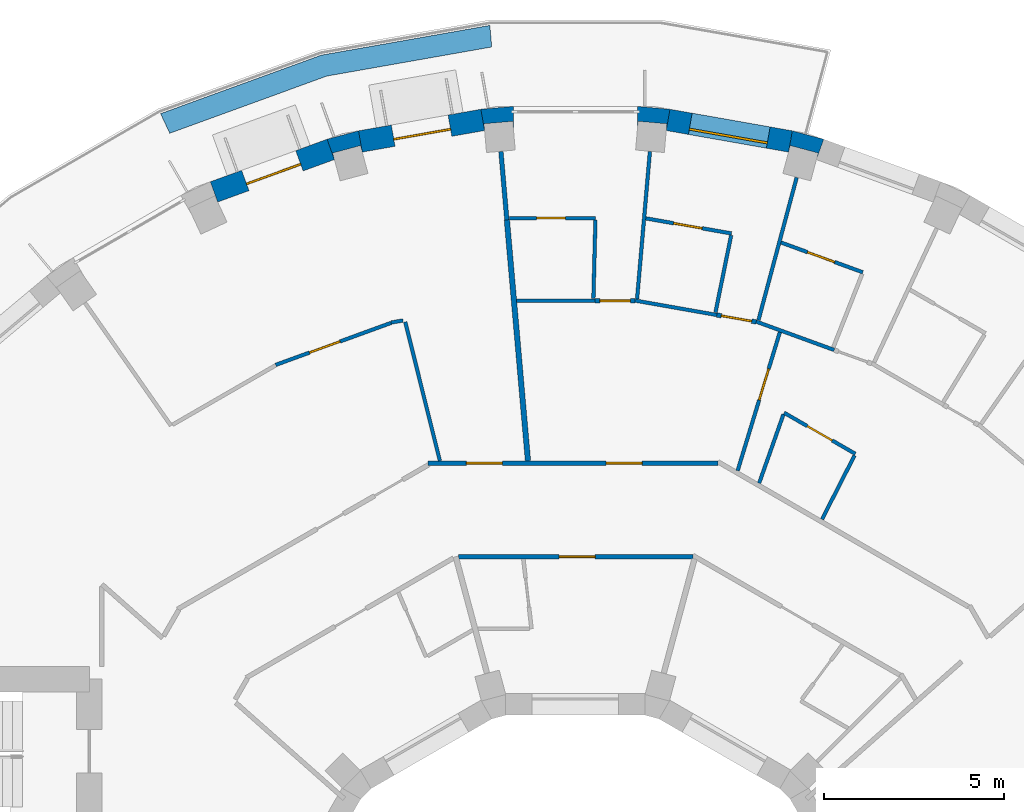
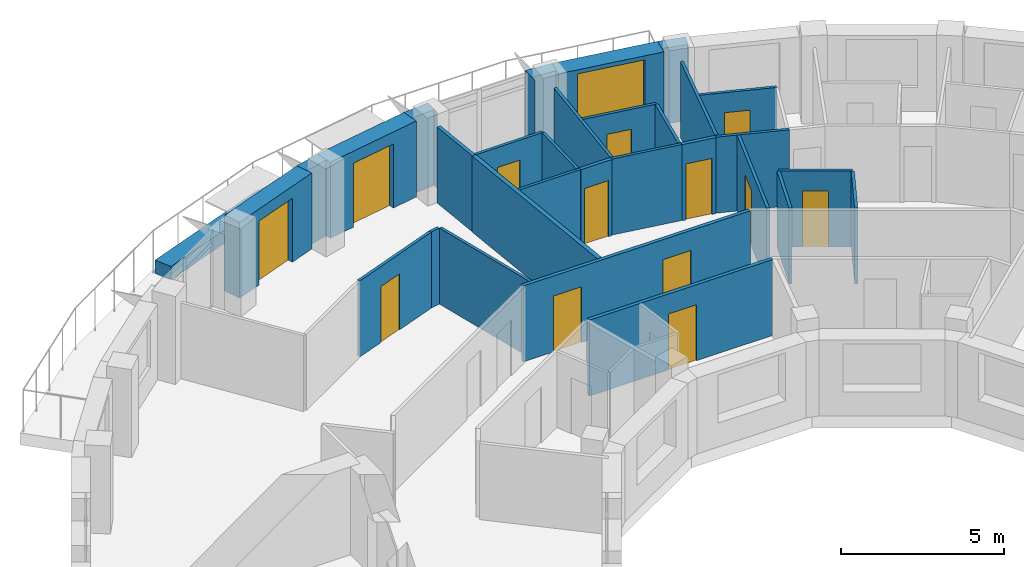
# One storey, part 11 of 14: 31 walls, 13 doors, 1 window, 14 openings.
"""IFC4 building model written with IfcOpenShell, lengths in metres."""

from ifc_helpers import new_model, si_unit, direction, frame, frame_2d, origin, place, context, subcontext, project, spatial, polyline, rectangle, outline, extrude, material, layer, layer_set, type_object, element, fill, save


model = new_model("IFC4")

# Units and contexts
model_context = context("Model", 3, precision=1e-05, world=origin(), true_north=direction((0.0, 1.0)))
body_context = subcontext(model_context, "Body", "Model", "MODEL_VIEW")
ifc_project = project(units=[si_unit("LENGTHUNIT", "METRE"), si_unit("AREAUNIT", "SQUARE_METRE"), si_unit("VOLUMEUNIT", "CUBIC_METRE"), si_unit("PLANEANGLEUNIT", "RADIAN"), si_unit("MASSUNIT", "GRAM", prefix="KILO")], contexts=[model_context])

# Site, building, storey
site_placement = place(None, origin())
site = spatial("IfcSite", under=ifc_project, at=site_placement, CompositionType="ELEMENT")
building_placement = place(site_placement, origin())
building = spatial("IfcBuilding", under=site, at=building_placement, Name="Saqina Gate Tower", CompositionType="ELEMENT")
storey_placement = place(building_placement, frame((0.0, 0.0, 210.300048828125)))
storey = spatial("IfcBuildingStorey", under=building, at=storey_placement, Name="L60", CompositionType="ELEMENT", Elevation=210.300048828125)

# Walls
ifc_material_1 = material(Name="Brick masonry (buff)", Category="masonry")
wall_type_1 = type_object("IfcWallType", Name="BRICK PIER COPING BUFF", PredefinedType="SOLIDWALL", material=ifc_material_1)
wall_1_placement = place(storey_placement, origin())
element("IfcWall", 1, at=wall_1_placement, inside=storey, type_object=wall_type_1, Name="Pier cap L60 column 8", PredefinedType="SOLIDWALL", context=body_context, shape_type="SweptSolid", body=[
    extrude(outline(polyline([(6.0234375, 24.22705078125), (5.919189453125, 23.635986328125), (5.967529296875, 23.81689453125), (6.740478515625, 23.610107421875), (6.69189453125, 23.428955078125), (6.897216796875, 23.992919921875), (6.0234375, 24.22705078125)])), origin(), (0.0, 0.0, 1.0), 2.849853515625),
])
wall_2_placement = place(storey_placement, origin())
element("IfcWall", 2, at=wall_2_placement, inside=storey, type_object=wall_type_1, Name="Pier cap L60 column 9", PredefinedType="SOLIDWALL", context=body_context, shape_type="SweptSolid", body=[
    extrude(outline(polyline([(2.6259765625, 24.825927734375), (1.724853515625, 24.90478515625), (1.724853515625, 24.304931640625), (1.7412109375, 24.491455078125), (2.5380859375, 24.421630859375), (2.521728515625, 24.235107421875), (2.6259765625, 24.825927734375)])), origin(), (0.0, 0.0, 1.0), 2.849853515625),
])
wall_3_placement = place(storey_placement, origin())
element("IfcWall", 3, at=wall_3_placement, inside=storey, type_object=wall_type_1, Name="Pier cap L60 column 10", PredefinedType="SOLIDWALL", context=body_context, shape_type="SweptSolid", body=[
    extrude(outline(polyline([(-1.724853515625, 24.90478515625), (-2.6259765625, 24.825927734375), (-2.521728515625, 24.235107421875), (-2.5380859375, 24.421630859375), (-1.7412109375, 24.491455078125), (-1.724853515625, 24.304931640625), (-1.724853515625, 24.90478515625)])), origin(), (0.0, 0.0, 1.0), 2.849853515625),
])
wall_4_placement = place(storey_placement, origin())
element("IfcWall", 4, at=wall_4_placement, inside=storey, type_object=wall_type_1, Name="Pier cap L60 column 11", PredefinedType="SOLIDWALL", context=body_context, shape_type="SweptSolid", body=[
    extrude(outline(polyline([(-6.0234375, 24.22705078125), (-6.897216796875, 23.992919921875), (-6.69189453125, 23.428955078125), (-6.740478515625, 23.610107421875), (-5.967529296875, 23.81689453125), (-5.919189453125, 23.635986328125), (-6.0234375, 24.22705078125)])), origin(), (0.0, 0.0, 1.0), 2.849853515625),
])

# Wall, opening, window
ifc_material_2 = material(Name="Brick masonry (buff)", Category="masonry")
ifc_layer_1 = layer(ifc_material_2, 0.60009765625)
ifc_layer_set_1 = layer_set([ifc_layer_1], Name="FW-BRICK-BUFF")
wall_type_2 = type_object("IfcWallType", Name="FW-BRICK-BUFF", PredefinedType="SOLIDWALL", material=ifc_layer_set_1)
wall_5_placement = place(storey_placement, frame((5.97119140625, 23.931640625, 0.0), z_axis=(0.0, 0.0, 1.0), x_axis=(-0.984814892183, 0.173607684551, 0.0)))
wall_5 = element("IfcWall", 5, at=wall_5_placement, inside=storey, type_object=wall_type_2, Name="Facade wall L60 facet 8", PredefinedType="SOLIDWALL", context=body_context, shape_type="SweptSolid", body=[
    extrude(rectangle(XDim=3.44970703125, YDim=0.60009765625, at=frame_2d((1.724853515625, 0.0))), origin(), (0.0, 0.0, 1.0), 2.849853515625),
])
opening_1_placement = place(wall_5_placement, frame((0.625, 0.0, 0.89990234375)))
opening_1 = element("IfcOpeningElement", 6, at=opening_1_placement, cuts=wall_5, Name="Opening G18-W06", PredefinedType="OPENING", context=body_context, shape_type="SweptSolid", body=[
    extrude(rectangle(XDim=2.199951171875, YDim=1.800048828125, at=frame_2d((1.10009765625, 0.89990234375))), frame((0.0, 0.31201171875, 0.0), z_axis=(0.0, -1.0, 0.0), x_axis=(1.0, 0.0, 0.0)), (0.0, 0.0, 1.0), 0.6240234375),
])
ifc_material_3 = material(Name="Aluminium glazing", Category="aluminium")
window_type = type_object("IfcWindowType", Name="WN-C", PartitioningType="SINGLE_PANEL", PredefinedType="WINDOW", material=ifc_material_3)
window_placement = place(opening_1_placement, origin())
window = element("IfcWindow", 7, at=window_placement, inside=storey, type_object=window_type, Name="Window L60 facet 8", OverallHeight=1.800048828125, OverallWidth=2.199951171875, PartitioningType="SINGLE_PANEL", PredefinedType="WINDOW", context=body_context, shape_type="SweptSolid", body=[
    extrude(rectangle(XDim=2.199951171875, YDim=1.800048828125, at=frame_2d((1.10009765625, 0.89990234375))), frame((0.0, 0.179931640625, 0.0), z_axis=(0.0, -1.0, 0.0), x_axis=(1.0, 0.0, 0.0)), (0.0, 0.0, 1.0), 0.06005859375),
])
fill(opening_1, window)

# Wall, opening, door
wall_6_placement = place(storey_placement, frame((-2.573974609375, 24.530517578125, 0.0), z_axis=(0.0, 0.0, 1.0), x_axis=(-0.984814892183, -0.173607684551, 0.0)))
wall_6 = element("IfcWall", 8, at=wall_6_placement, inside=storey, type_object=wall_type_2, Name="Facade wall L60 facet 10", PredefinedType="SOLIDWALL", context=body_context, shape_type="SweptSolid", body=[
    extrude(rectangle(XDim=3.44970703125, YDim=0.60009765625, at=frame_2d((1.724853515625, 0.0))), origin(), (0.0, 0.0, 1.0), 2.849853515625),
])
opening_2_placement = place(wall_6_placement, frame((0.9248046875, 0.0, 0.0)))
opening_2 = element("IfcOpeningElement", 9, at=opening_2_placement, cuts=wall_6, Name="Opening G18-D80", PredefinedType="OPENING", context=body_context, shape_type="SweptSolid", body=[
    extrude(rectangle(XDim=1.60009765625, YDim=2.39990234375, at=frame_2d((0.800048828125, 1.199951171875))), frame((0.0, 0.31201171875, 0.0), z_axis=(0.0, -1.0, 0.0), x_axis=(1.0, 0.0, 0.0)), (0.0, 0.0, 1.0), 0.6240234375),
])
ifc_material_4 = material(Name="Aluminium glazing", Category="aluminium")
door_type_1 = type_object("IfcDoorType", Name="GD-C", OperationType="DOUBLE_DOOR_SINGLE_SWING", PredefinedType="DOOR", material=ifc_material_4)
door_1_placement = place(opening_2_placement, origin())
door_1 = element("IfcDoor", 10, at=door_1_placement, inside=storey, type_object=door_type_1, Name="Terrace door L60 facet 10", OperationType="DOUBLE_DOOR_SINGLE_SWING", OverallHeight=2.39990234375, OverallWidth=1.60009765625, PredefinedType="DOOR", context=body_context, shape_type="SweptSolid", body=[
    extrude(rectangle(XDim=1.60009765625, YDim=2.39990234375, at=frame_2d((0.800048828125, 1.199951171875))), frame((0.0, 0.125, 0.0), z_axis=(0.0, -1.0, 0.0), x_axis=(1.0, 0.0, 0.0)), (0.0, 0.0, 1.0), 0.050048828125),
])
fill(opening_2, door_1)

wall_7_placement = place(storey_placement, frame((-6.79443359375, 23.7109375, 0.0), z_axis=(0.0, 0.0, 1.0), x_axis=(-0.93968799822, -0.342032843455, 0.0)))
wall_7 = element("IfcWall", 11, at=wall_7_placement, inside=storey, type_object=wall_type_2, Name="Facade wall L60 facet 11", PredefinedType="SOLIDWALL", context=body_context, shape_type="SweptSolid", body=[
    extrude(rectangle(XDim=3.44970703125, YDim=0.60009765625, at=frame_2d((1.724853515625, 0.0))), origin(), (0.0, 0.0, 1.0), 2.849853515625),
])
opening_3_placement = place(wall_7_placement, frame((0.9248046875, 0.0, 0.0)))
opening_3 = element("IfcOpeningElement", 12, at=opening_3_placement, cuts=wall_7, Name="Opening G18-D81", PredefinedType="OPENING", context=body_context, shape_type="SweptSolid", body=[
    extrude(rectangle(XDim=1.60009765625, YDim=2.39990234375, at=frame_2d((0.800048828125, 1.199951171875))), frame((0.0, 0.31201171875, 0.0), z_axis=(0.0, -1.0, 0.0), x_axis=(1.0, 0.0, 0.0)), (0.0, 0.0, 1.0), 0.6240234375),
])
door_2_placement = place(opening_3_placement, origin())
door_2 = element("IfcDoor", 13, at=door_2_placement, inside=storey, type_object=door_type_1, Name="Terrace door L60 facet 11", OperationType="DOUBLE_DOOR_SINGLE_SWING", OverallHeight=2.39990234375, OverallWidth=1.60009765625, PredefinedType="DOOR", context=body_context, shape_type="SweptSolid", body=[
    extrude(rectangle(XDim=1.60009765625, YDim=2.39990234375, at=frame_2d((0.800048828125, 1.199951171875))), frame((0.0, 0.125, 0.0), z_axis=(0.0, -1.0, 0.0), x_axis=(1.0, 0.0, 0.0)), (0.0, 0.0, 1.0), 0.050048828125),
])
fill(opening_3, door_2)

# Wall
ifc_material_5 = material(Name="Gypsum board on steel studs, 100 mm", Category="steel")
ifc_layer_2 = layer(ifc_material_5, 0.10009765625)
ifc_layer_set_2 = layer_set([ifc_layer_2], Name="PARTITION 100")
wall_type_3 = type_object("IfcWallType", Name="PARTITION 100", PredefinedType="PARTITIONING", material=ifc_layer_set_2)
wall_8_placement = place(storey_placement, frame((-4.726806640625, 18.92041015625, 0.0), z_axis=(0.0, 0.0, 1.0), x_axis=(0.242333473665, -0.970193015611, 0.0)))
element("IfcWall", 14, at=wall_8_placement, inside=storey, type_object=wall_type_3, Name="PARTITION PW3-04", PredefinedType="PARTITIONING", context=body_context, shape_type="SweptSolid", body=[
    extrude(rectangle(XDim=3.978515625, YDim=0.10009765625, at=frame_2d((1.9892578125, 0.0))), origin(), (0.0, 0.0, 1.0), 2.849853515625),
])

# Wall, opening, door
wall_9_placement = place(storey_placement, frame((5.795654296875, 16.39892578125, 0.0), z_axis=(0.0, 0.0, 1.0), x_axis=(0.866084140742, -0.499898250802, 0.0)))
wall_9 = element("IfcWall", 15, at=wall_9_placement, inside=storey, type_object=wall_type_3, Name="PARTITION PW3-30", PredefinedType="PARTITIONING", context=body_context, shape_type="SweptSolid", body=[
    extrude(rectangle(XDim=2.2841796875, YDim=0.10009765625, at=frame_2d((1.14208984375, 0.0))), origin(), (0.0, 0.0, 1.0), 2.849853515625),
])
opening_4_placement = place(wall_9_placement, frame((0.7412109375, 0.0, 0.0)))
opening_4 = element("IfcOpeningElement", 16, at=opening_4_placement, cuts=wall_9, Name="Opening G18-D09", PredefinedType="OPENING", context=body_context, shape_type="SweptSolid", body=[
    extrude(rectangle(XDim=0.800048828125, YDim=2.10009765625, at=frame_2d((0.39990234375, 1.050048828125))), frame((0.0, 0.06201171875, 0.0), z_axis=(0.0, -1.0, 0.0), x_axis=(1.0, 0.0, 0.0)), (0.0, 0.0, 1.0), 0.1240234375),
])
ifc_material_6 = material(Name="Timber door leaf, 800 mm", Category="wood")
door_type_2 = type_object("IfcDoorType", Name="DOOR 800 TIMBER", OperationType="SINGLE_SWING_LEFT", PredefinedType="DOOR", material=ifc_material_6)
door_3_placement = place(opening_4_placement, origin())
door_3 = element("IfcDoor", 17, at=door_3_placement, inside=storey, type_object=door_type_2, Name="DOOR G18-D09", OperationType="SINGLE_SWING_LEFT", OverallHeight=2.10009765625, OverallWidth=0.800048828125, PredefinedType="DOOR", context=body_context, shape_type="SweptSolid", body=[
    extrude(rectangle(XDim=0.800048828125, YDim=2.10009765625, at=frame_2d((0.39990234375, 1.050048828125))), frame((0.0, 0.02490234375, 0.0), z_axis=(0.0, -1.0, 0.0), x_axis=(1.0, 0.0, 0.0)), (0.0, 0.0, 1.0), 0.050048828125),
])
fill(opening_4, door_3)

# Wall
wall_10_placement = place(storey_placement, frame((5.020263671875, 18.929443359375, 0.0), z_axis=(0.0, 0.0, 1.0), x_axis=(0.939651079277, -0.342134256123, 0.0)))
element("IfcWall", 18, at=wall_10_placement, inside=storey, type_object=wall_type_3, Name="PARTITION PW3-36", PredefinedType="PARTITIONING", context=body_context, shape_type="SweptSolid", body=[
    extrude(rectangle(XDim=2.304931640625, YDim=0.10009765625, at=frame_2d((1.15234375, 0.0))), origin(), (0.0, 0.0, 1.0), 2.849853515625),
])

# Wall, opening, door
wall_11_placement = place(storey_placement, frame((5.71240234375, 21.124755859375, 0.0), z_axis=(0.0, 0.0, 1.0), x_axis=(0.939692991858, -0.342019123812, 0.0)))
wall_11 = element("IfcWall", 19, at=wall_11_placement, inside=storey, type_object=wall_type_3, Name="PARTITION PW3-37", PredefinedType="PARTITIONING", context=body_context, shape_type="SweptSolid", body=[
    extrude(rectangle(XDim=2.4140625, YDim=0.10009765625, at=frame_2d((1.20703125, 0.0))), origin(), (0.0, 0.0, 1.0), 2.849853515625),
])
opening_5_placement = place(wall_11_placement, frame((0.78173828125, 0.0, 0.0)))
opening_5 = element("IfcOpeningElement", 20, at=opening_5_placement, cuts=wall_11, Name="Opening G18-D11", PredefinedType="OPENING", context=body_context, shape_type="SweptSolid", body=[
    extrude(rectangle(XDim=0.800048828125, YDim=2.10009765625, at=frame_2d((0.39990234375, 1.050048828125))), frame((0.0, 0.06201171875, 0.0), z_axis=(0.0, -1.0, 0.0), x_axis=(1.0, 0.0, 0.0)), (0.0, 0.0, 1.0), 0.1240234375),
])
door_4_placement = place(opening_5_placement, origin())
door_4 = element("IfcDoor", 21, at=door_4_placement, inside=storey, type_object=door_type_2, Name="DOOR G18-D11", OperationType="SINGLE_SWING_LEFT", OverallHeight=2.10009765625, OverallWidth=0.800048828125, PredefinedType="DOOR", context=body_context, shape_type="SweptSolid", body=[
    extrude(rectangle(XDim=0.800048828125, YDim=2.10009765625, at=frame_2d((0.39990234375, 1.050048828125))), frame((0.0, 0.02490234375, 0.0), z_axis=(0.0, -1.0, 0.0), x_axis=(1.0, 0.0, 0.0)), (0.0, 0.0, 1.0), 0.050048828125),
])
fill(opening_5, door_4)

# Wall
wall_12_placement = place(storey_placement, frame((1.656005859375, 19.513916015625, 0.0), z_axis=(0.0, 0.0, 1.0), x_axis=(0.984783558818, -0.173785333909, 0.0)))
element("IfcWall", 22, at=wall_12_placement, inside=storey, type_object=wall_type_3, Name="PARTITION PW3-40", PredefinedType="PARTITIONING", context=body_context, shape_type="SweptSolid", body=[
    extrude(rectangle(XDim=2.305419921875, YDim=0.10009765625, at=frame_2d((1.15283203125, 0.0))), origin(), (0.0, 0.0, 1.0), 2.849853515625),
])

# Wall, opening, door
wall_13_placement = place(storey_placement, frame((1.957275390625, 21.79638671875, 0.0), z_axis=(0.0, 0.0, 1.0), x_axis=(0.984794754479, -0.173721879884, 0.0)))
wall_13 = element("IfcWall", 23, at=wall_13_placement, inside=storey, type_object=wall_type_3, Name="PARTITION PW3-41", PredefinedType="PARTITIONING", context=body_context, shape_type="SweptSolid", body=[
    extrude(rectangle(XDim=2.414306640625, YDim=0.10009765625, at=frame_2d((1.20703125, 0.0))), origin(), (0.0, 0.0, 1.0), 2.849853515625),
])
opening_6_placement = place(wall_13_placement, frame((0.7822265625, 0.0, 0.0)))
opening_6 = element("IfcOpeningElement", 24, at=opening_6_placement, cuts=wall_13, Name="Opening G18-D14", PredefinedType="OPENING", context=body_context, shape_type="SweptSolid", body=[
    extrude(rectangle(XDim=0.800048828125, YDim=2.10009765625, at=frame_2d((0.39990234375, 1.050048828125))), frame((0.0, 0.06201171875, 0.0), z_axis=(0.0, -1.0, 0.0), x_axis=(1.0, 0.0, 0.0)), (0.0, 0.0, 1.0), 0.1240234375),
])
door_5_placement = place(opening_6_placement, origin())
door_5 = element("IfcDoor", 25, at=door_5_placement, inside=storey, type_object=door_type_2, Name="DOOR G18-D14", OperationType="SINGLE_SWING_LEFT", OverallHeight=2.10009765625, OverallWidth=0.800048828125, PredefinedType="DOOR", context=body_context, shape_type="SweptSolid", body=[
    extrude(rectangle(XDim=0.800048828125, YDim=2.10009765625, at=frame_2d((0.39990234375, 1.050048828125))), frame((0.0, 0.02490234375, 0.0), z_axis=(0.0, -1.0, 0.0), x_axis=(1.0, 0.0, 0.0)), (0.0, 0.0, 1.0), 0.050048828125),
])
fill(opening_6, door_5)

# Wall
wall_14_placement = place(storey_placement, frame((-1.631103515625, 19.5048828125, 0.0), z_axis=(0.0, 0.0, 1.0), x_axis=(1.0, 0.0, 0.0)))
element("IfcWall", 26, at=wall_14_placement, inside=storey, type_object=wall_type_3, Name="PARTITION PW3-46", PredefinedType="PARTITIONING", context=body_context, shape_type="SweptSolid", body=[
    extrude(rectangle(XDim=2.17919921875, YDim=0.10009765625, at=frame_2d((1.089599609375, 0.0))), origin(), (0.0, 0.0, 1.0), 2.849853515625),
])

# Wall, opening, door
wall_15_placement = place(storey_placement, frame((-1.8330078125, 21.804931640625, 0.0), z_axis=(0.0, 0.0, 1.0), x_axis=(1.0, 0.0, 0.0)))
wall_15 = element("IfcWall", 27, at=wall_15_placement, inside=storey, type_object=wall_type_3, Name="PARTITION PW3-47", PredefinedType="PARTITIONING", context=body_context, shape_type="SweptSolid", body=[
    extrude(rectangle(XDim=2.389892578125, YDim=0.10009765625, at=frame_2d((1.19482421875, 0.0))), origin(), (0.0, 0.0, 1.0), 2.849853515625),
])
opening_7_placement = place(wall_15_placement, frame((0.757568359375, 0.0, 0.0)))
opening_7 = element("IfcOpeningElement", 28, at=opening_7_placement, cuts=wall_15, Name="Opening G18-D18", PredefinedType="OPENING", context=body_context, shape_type="SweptSolid", body=[
    extrude(rectangle(XDim=0.800048828125, YDim=2.10009765625, at=frame_2d((0.39990234375, 1.050048828125))), frame((0.0, 0.06201171875, 0.0), z_axis=(0.0, -1.0, 0.0), x_axis=(1.0, 0.0, 0.0)), (0.0, 0.0, 1.0), 0.1240234375),
])
door_6_placement = place(opening_7_placement, origin())
door_6 = element("IfcDoor", 29, at=door_6_placement, inside=storey, type_object=door_type_2, Name="DOOR G18-D18", OperationType="SINGLE_SWING_LEFT", OverallHeight=2.10009765625, OverallWidth=0.800048828125, PredefinedType="DOOR", context=body_context, shape_type="SweptSolid", body=[
    extrude(rectangle(XDim=0.800048828125, YDim=2.10009765625, at=frame_2d((0.39990234375, 1.050048828125))), frame((0.0, 0.02490234375, 0.0), z_axis=(0.0, -1.0, 0.0), x_axis=(1.0, 0.0, 0.0)), (0.0, 0.0, 1.0), 0.050048828125),
])
fill(opening_7, door_6)

# Wall
wall_16_placement = place(storey_placement, frame((-5.117919921875, 18.903076171875, 0.0), z_axis=(0.0, 0.0, 1.0), x_axis=(0.984687952064, 0.174326237439, 0.0)))
element("IfcWall", 30, at=wall_16_placement, inside=storey, type_object=wall_type_3, Name="PARTITION PW3-49", PredefinedType="PARTITIONING", context=body_context, shape_type="SweptSolid", body=[
    extrude(rectangle(XDim=0.334716796875, YDim=0.10009765625, at=frame_2d((0.16748046875, 0.0))), origin(), (0.0, 0.0, 1.0), 2.849853515625),
])

# Wall, opening, door
wall_17_placement = place(storey_placement, frame((-8.32470703125, 17.7265625, 0.0), z_axis=(0.0, 0.0, 1.0), x_axis=(0.939672327812, 0.342075892668, 0.0)))
wall_17 = element("IfcWall", 31, at=wall_17_placement, inside=storey, type_object=wall_type_3, Name="PARTITION PW3-52", PredefinedType="PARTITIONING", context=body_context, shape_type="SweptSolid", body=[
    extrude(rectangle(XDim=3.415771484375, YDim=0.10009765625, at=frame_2d((1.7080078125, 0.0))), origin(), (0.0, 0.0, 1.0), 2.849853515625),
])
opening_8_placement = place(wall_17_placement, frame((1.00390625, 0.0, 0.0)))
opening_8 = element("IfcOpeningElement", 32, at=opening_8_placement, cuts=wall_17, Name="Opening G18-D22", PredefinedType="OPENING", context=body_context, shape_type="SweptSolid", body=[
    extrude(rectangle(XDim=0.89990234375, YDim=2.10009765625, at=frame_2d((0.449951171875, 1.050048828125))), frame((0.0, 0.06201171875, 0.0), z_axis=(0.0, -1.0, 0.0), x_axis=(1.0, 0.0, 0.0)), (0.0, 0.0, 1.0), 0.1240234375),
])
ifc_material_7 = material(Name="Timber door leaf, 900 mm", Category="wood")
door_type_3 = type_object("IfcDoorType", Name="DOOR 900 TIMBER", OperationType="SINGLE_SWING_LEFT", PredefinedType="DOOR", material=ifc_material_7)
door_7_placement = place(opening_8_placement, frame((0.89990234375, 0.0, 0.0), z_axis=(0.0, 0.0, 1.0), x_axis=(-1.0, 0.0, 0.0)))
door_7 = element("IfcDoor", 33, at=door_7_placement, inside=storey, type_object=door_type_3, Name="DOOR G18-D22", OperationType="SINGLE_SWING_RIGHT", OverallHeight=2.10009765625, OverallWidth=0.89990234375, PredefinedType="DOOR", context=body_context, shape_type="SweptSolid", body=[
    extrude(rectangle(XDim=0.89990234375, YDim=2.10009765625, at=frame_2d((0.449951171875, 1.050048828125))), frame((0.0, 0.02490234375, 0.0), z_axis=(0.0, -1.0, 0.0), x_axis=(1.0, 0.0, 0.0)), (0.0, 0.0, 1.0), 0.050048828125),
])
fill(opening_8, door_7)

# Walls
wall_18_placement = place(storey_placement, frame((6.84765625, 13.439208984375, 0.0), z_axis=(0.0, 0.0, 1.0), x_axis=(0.454028802768, 0.890987006784, 0.0)))
element("IfcWall", 34, at=wall_18_placement, inside=storey, type_object=wall_type_3, Name="PARTITION PW3-77", PredefinedType="PARTITIONING", context=body_context, shape_type="SweptSolid", body=[
    extrude(rectangle(XDim=1.988037109375, YDim=0.10009765625, at=frame_2d((0.994140625, 0.0))), origin(), (0.0, 0.0, 1.0), 2.849853515625),
])
wall_19_placement = place(storey_placement, frame((5.10302734375, 14.4453125, 0.0), z_axis=(0.0, 0.0, 1.0), x_axis=(0.333281339962, 0.942827422402, 0.0)))
element("IfcWall", 35, at=wall_19_placement, inside=storey, type_object=wall_type_3, Name="PARTITION PW3-84", PredefinedType="PARTITIONING", context=body_context, shape_type="SweptSolid", body=[
    extrude(rectangle(XDim=2.02099609375, YDim=0.10009765625, at=frame_2d((1.010498046875, 0.0))), origin(), (0.0, 0.0, 1.0), 2.849853515625),
])

# Wall, opening, door
wall_20_placement = place(storey_placement, frame((4.5048828125, 14.789794921875, 0.0), z_axis=(0.0, 0.0, 1.0), x_axis=(0.291610860107, 0.956537038628, 0.0)))
wall_20 = element("IfcWall", 36, at=wall_20_placement, inside=storey, type_object=wall_type_3, Name="PARTITION PW3-85", PredefinedType="PARTITIONING", context=body_context, shape_type="SweptSolid", body=[
    extrude(rectangle(XDim=4.02197265625, YDim=0.10009765625, at=frame_2d((2.010986328125, 0.0))), origin(), (0.0, 0.0, 1.0), 2.849853515625),
])
opening_9_placement = place(wall_20_placement, frame((2.0546875, 0.0, 0.0)))
opening_9 = element("IfcOpeningElement", 37, at=opening_9_placement, cuts=wall_20, Name="Opening G18-D12", PredefinedType="OPENING", context=body_context, shape_type="SweptSolid", body=[
    extrude(rectangle(XDim=0.89990234375, YDim=2.10009765625, at=frame_2d((0.449951171875, 1.050048828125))), frame((0.0, 0.06201171875, 0.0), z_axis=(0.0, -1.0, 0.0), x_axis=(1.0, 0.0, 0.0)), (0.0, 0.0, 1.0), 0.1240234375),
])
door_8_placement = place(opening_9_placement, frame((0.89990234375, 0.0, 0.0), z_axis=(0.0, 0.0, 1.0), x_axis=(-1.0, 0.0, 0.0)))
door_8 = element("IfcDoor", 38, at=door_8_placement, inside=storey, type_object=door_type_3, Name="DOOR G18-D12", OperationType="SINGLE_SWING_RIGHT", OverallHeight=2.10009765625, OverallWidth=0.89990234375, PredefinedType="DOOR", context=body_context, shape_type="SweptSolid", body=[
    extrude(rectangle(XDim=0.89990234375, YDim=2.10009765625, at=frame_2d((0.449951171875, 1.050048828125))), frame((0.0, 0.02490234375, 0.0), z_axis=(0.0, -1.0, 0.0), x_axis=(1.0, 0.0, 0.0)), (0.0, 0.0, 1.0), 0.050048828125),
])
fill(opening_9, door_8)

# Walls
wall_21_placement = place(storey_placement, frame((5.084228515625, 18.972412109375, 0.0), z_axis=(0.0, 0.0, 1.0), x_axis=(0.258608038295, 0.965982340692, 0.0)))
element("IfcWall", 39, at=wall_21_placement, inside=storey, type_object=wall_type_3, Name="PARTITION PW3-87", PredefinedType="PARTITIONING", context=body_context, shape_type="SweptSolid", body=[
    extrude(rectangle(XDim=4.09814453125, YDim=0.10009765625, at=frame_2d((2.049072265625, 0.0))), origin(), (0.0, 0.0, 1.0), 2.849853515625),
])
wall_22_placement = place(storey_placement, frame((3.889404296875, 19.183349609375, 0.0), z_axis=(0.0, 0.0, 1.0), x_axis=(0.199033137994, 0.979992760167, 0.0)))
element("IfcWall", 40, at=wall_22_placement, inside=storey, type_object=wall_type_3, Name="PARTITION PW3-89", PredefinedType="PARTITIONING", context=body_context, shape_type="SweptSolid", body=[
    extrude(rectangle(XDim=2.188232421875, YDim=0.10009765625, at=frame_2d((1.09423828125, 0.0))), origin(), (0.0, 0.0, 1.0), 2.849853515625),
])
wall_23_placement = place(storey_placement, frame((1.711669921875, 19.5546875, 0.0), z_axis=(0.0, 0.0, 1.0), x_axis=(0.086893599578, 0.996217597893, 0.0)))
element("IfcWall", 41, at=wall_23_placement, inside=storey, type_object=wall_type_3, Name="PARTITION PW3-91", PredefinedType="PARTITIONING", context=body_context, shape_type="SweptSolid", body=[
    extrude(rectangle(XDim=4.110595703125, YDim=0.10009765625, at=frame_2d((2.05517578125, 0.0))), origin(), (0.0, 0.0, 1.0), 2.849853515625),
])
wall_24_placement = place(storey_placement, frame((0.49951171875, 19.5673828125, 0.0), z_axis=(0.0, 0.0, 1.0), x_axis=(0.025658328011, 0.999670770906, 0.0)))
element("IfcWall", 42, at=wall_24_placement, inside=storey, type_object=wall_type_3, Name="PARTITION PW3-93", PredefinedType="PARTITIONING", context=body_context, shape_type="SweptSolid", body=[
    extrude(rectangle(XDim=2.1884765625, YDim=0.10009765625, at=frame_2d((1.09423828125, 0.0))), origin(), (0.0, 0.0, 1.0), 2.849853515625),
])
ifc_material_8 = material(Name="Gypsum board on steel studs, 125 mm, fire rated", Category="steel")
ifc_layer_3 = layer(ifc_material_8, 0.125)
ifc_layer_set_3 = layer_set([ifc_layer_3], Name="PARTITION EI 30 125")
wall_type_4 = type_object("IfcWallType", Name="PARTITION EI 30 125", PredefinedType="PARTITIONING", material=ifc_layer_set_3)
wall_25_placement = place(storey_placement, frame((-2.06884765625, 23.649658203125, 0.0), z_axis=(0.0, 0.0, 1.0), x_axis=(0.086912141591, -0.99621598042, 0.0)))
element("IfcWall", 43, at=wall_25_placement, inside=storey, type_object=wall_type_4, Name="PARTITION PW1-01", PredefinedType="PARTITIONING", context=body_context, shape_type="SweptSolid", body=[
    extrude(rectangle(XDim=1.901611328125, YDim=0.125, at=frame_2d((0.95068359375, 0.0))), origin(), (0.0, 0.0, 1.0), 2.849853515625),
])

# Wall, opening, door
wall_26_placement = place(storey_placement, frame((3.92626953125, 19.11328125, 0.0), z_axis=(0.0, 0.0, 1.0), x_axis=(0.984810132848, -0.173634680406, 0.0)))
wall_26 = element("IfcWall", 44, at=wall_26_placement, inside=storey, type_object=wall_type_4, Name="PARTITION PW1-26", PredefinedType="PARTITIONING", context=body_context, shape_type="SweptSolid", body=[
    extrude(rectangle(XDim=1.109375, YDim=0.125, at=frame_2d((0.5546875, 0.0))), origin(), (0.0, 0.0, 1.0), 2.849853515625),
])
opening_10_placement = place(wall_26_placement, frame((0.129638671875, 0.0, 0.0)))
opening_10 = element("IfcOpeningElement", 45, at=opening_10_placement, cuts=wall_26, Name="Opening G18-D13", PredefinedType="OPENING", context=body_context, shape_type="SweptSolid", body=[
    extrude(rectangle(XDim=0.85009765625, YDim=2.10009765625, at=frame_2d((0.425048828125, 1.050048828125))), frame((0.0, 0.074462890625, 0.0), z_axis=(0.0, -1.0, 0.0), x_axis=(1.0, 0.0, 0.0)), (0.0, 0.0, 1.0), 0.14892578125),
])
ifc_material_9 = material(Name="Fire door leaf EI 30, 850 mm")
door_type_4 = type_object("IfcDoorType", Name="DOOR 850 EI 30", OperationType="SINGLE_SWING_LEFT", PredefinedType="DOOR", material=ifc_material_9)
door_9_placement = place(opening_10_placement, frame((0.85009765625, 0.0, 0.0), z_axis=(0.0, 0.0, 1.0), x_axis=(-1.0, 0.0, 0.0)))
door_9 = element("IfcDoor", 46, at=door_9_placement, inside=storey, type_object=door_type_4, Name="DOOR G18-D13", OperationType="SINGLE_SWING_LEFT", OverallHeight=2.10009765625, OverallWidth=0.85009765625, PredefinedType="DOOR", context=body_context, shape_type="SweptSolid", body=[
    extrude(rectangle(XDim=0.85009765625, YDim=2.10009765625, at=frame_2d((0.425048828125, 1.050048828125))), frame((0.0, 0.02490234375, 0.0), z_axis=(0.0, -1.0, 0.0), x_axis=(1.0, 0.0, 0.0)), (0.0, 0.0, 1.0), 0.050048828125),
])
fill(opening_10, door_9)

wall_27_placement = place(storey_placement, frame((-3.248046875, 12.39990234375, 0.0), z_axis=(0.0, 0.0, 1.0), x_axis=(1.0, 0.0, 0.0)))
wall_27 = element("IfcWall", 47, at=wall_27_placement, inside=storey, type_object=wall_type_4, Name="PARTITION PW1-30", PredefinedType="PARTITIONING", context=body_context, shape_type="SweptSolid", body=[
    extrude(rectangle(XDim=6.508544921875, YDim=0.125, at=frame_2d((3.25439453125, 0.0))), origin(), (0.0, 0.0, 1.0), 2.849853515625),
])
opening_11_placement = place(wall_27_placement, frame((2.798583984375, 0.0, 0.0)))
opening_11 = element("IfcOpeningElement", 48, at=opening_11_placement, cuts=wall_27, Name="Opening G18-D17", PredefinedType="OPENING", context=body_context, shape_type="SweptSolid", body=[
    extrude(rectangle(XDim=1.0, YDim=2.10009765625, at=frame_2d((0.5, 1.050048828125))), frame((0.0, 0.074462890625, 0.0), z_axis=(0.0, -1.0, 0.0), x_axis=(1.0, 0.0, 0.0)), (0.0, 0.0, 1.0), 0.14892578125),
])
ifc_material_10 = material(Name="Fire door leaf EI 30, 1000 mm")
door_type_5 = type_object("IfcDoorType", Name="DOOR 1000 EI 30", OperationType="SINGLE_SWING_LEFT", PredefinedType="DOOR", material=ifc_material_10)
door_10_placement = place(opening_11_placement, frame((1.0, 0.0, 0.0), z_axis=(0.0, 0.0, 1.0), x_axis=(-1.0, 0.0, 0.0)))
door_10 = element("IfcDoor", 49, at=door_10_placement, inside=storey, type_object=door_type_5, Name="DOOR G18-D17", OperationType="SINGLE_SWING_LEFT", OverallHeight=2.10009765625, OverallWidth=1.0, PredefinedType="DOOR", context=body_context, shape_type="SweptSolid", body=[
    extrude(rectangle(XDim=1.0, YDim=2.10009765625, at=frame_2d((0.5, 1.050048828125))), frame((0.0, 0.02490234375, 0.0), z_axis=(0.0, -1.0, 0.0), x_axis=(1.0, 0.0, 0.0)), (0.0, 0.0, 1.0), 0.050048828125),
])
fill(opening_11, door_10)

# Wall, openings, doors
wall_28_placement = place(storey_placement, frame((-4.091064453125, 15.0, 0.0), z_axis=(0.0, 0.0, 1.0), x_axis=(1.0, 0.0, 0.0)))
wall_28 = element("IfcWall", 50, at=wall_28_placement, inside=storey, type_object=wall_type_4, Name="PARTITION PW1-31", PredefinedType="PARTITIONING", context=body_context, shape_type="SweptSolid", body=[
    extrude(rectangle(XDim=8.047607421875, YDim=0.125, at=frame_2d((4.02392578125, 0.0))), origin(), (0.0, 0.0, 1.0), 2.849853515625),
])
opening_12_placement = place(wall_28_placement, frame((4.944580078125, 0.0, 0.0)))
opening_12 = element("IfcOpeningElement", 51, at=opening_12_placement, cuts=wall_28, Name="Opening G18-D15", PredefinedType="OPENING", context=body_context, shape_type="SweptSolid", body=[
    extrude(rectangle(XDim=1.0, YDim=2.10009765625, at=frame_2d((0.5, 1.050048828125))), frame((0.0, 0.074462890625, 0.0), z_axis=(0.0, -1.0, 0.0), x_axis=(1.0, 0.0, 0.0)), (0.0, 0.0, 1.0), 0.14892578125),
])
opening_13_placement = place(wall_28_placement, frame((1.0615234375, 0.0, 0.0)))
opening_13 = element("IfcOpeningElement", 52, at=opening_13_placement, cuts=wall_28, Name="Opening G18-D20", PredefinedType="OPENING", context=body_context, shape_type="SweptSolid", body=[
    extrude(rectangle(XDim=1.0, YDim=2.10009765625, at=frame_2d((0.5, 1.050048828125))), frame((0.0, 0.074462890625, 0.0), z_axis=(0.0, -1.0, 0.0), x_axis=(1.0, 0.0, 0.0)), (0.0, 0.0, 1.0), 0.14892578125),
])
door_11_placement = place(opening_12_placement, origin())
door_11 = element("IfcDoor", 53, at=door_11_placement, inside=storey, type_object=door_type_5, Name="DOOR G18-D15", OperationType="SINGLE_SWING_RIGHT", OverallHeight=2.10009765625, OverallWidth=1.0, PredefinedType="DOOR", context=body_context, shape_type="SweptSolid", body=[
    extrude(rectangle(XDim=1.0, YDim=2.10009765625, at=frame_2d((0.5, 1.050048828125))), frame((0.0, 0.02490234375, 0.0), z_axis=(0.0, -1.0, 0.0), x_axis=(1.0, 0.0, 0.0)), (0.0, 0.0, 1.0), 0.050048828125),
])
fill(opening_12, door_11)
door_12_placement = place(opening_13_placement, origin())
door_12 = element("IfcDoor", 54, at=door_12_placement, inside=storey, type_object=door_type_5, Name="DOOR G18-D20", OperationType="SINGLE_SWING_RIGHT", OverallHeight=2.10009765625, OverallWidth=1.0, PredefinedType="DOOR", context=body_context, shape_type="SweptSolid", body=[
    extrude(rectangle(XDim=1.0, YDim=2.10009765625, at=frame_2d((0.5, 1.050048828125))), frame((0.0, 0.02490234375, 0.0), z_axis=(0.0, -1.0, 0.0), x_axis=(1.0, 0.0, 0.0)), (0.0, 0.0, 1.0), 0.050048828125),
])
fill(opening_13, door_12)

# Wall, opening, door
wall_29_placement = place(storey_placement, frame((0.548095703125, 19.5048828125, 0.0), z_axis=(0.0, 0.0, 1.0), x_axis=(1.0, 0.0, 0.0)))
wall_29 = element("IfcWall", 55, at=wall_29_placement, inside=storey, type_object=wall_type_4, Name="PARTITION PW1-32", PredefinedType="PARTITIONING", context=body_context, shape_type="SweptSolid", body=[
    extrude(rectangle(XDim=1.10791015625, YDim=0.125, at=frame_2d((0.553955078125, 0.0))), origin(), (0.0, 0.0, 1.0), 2.849853515625),
])
opening_14_placement = place(wall_29_placement, frame((0.12890625, 0.0, 0.0)))
opening_14 = element("IfcOpeningElement", 56, at=opening_14_placement, cuts=wall_29, Name="Opening G18-D16", PredefinedType="OPENING", context=body_context, shape_type="SweptSolid", body=[
    extrude(rectangle(XDim=0.85009765625, YDim=2.10009765625, at=frame_2d((0.425048828125, 1.050048828125))), frame((0.0, 0.074462890625, 0.0), z_axis=(0.0, -1.0, 0.0), x_axis=(1.0, 0.0, 0.0)), (0.0, 0.0, 1.0), 0.14892578125),
])
door_13_placement = place(opening_14_placement, frame((0.85009765625, 0.0, 0.0), z_axis=(0.0, 0.0, 1.0), x_axis=(-1.0, 0.0, 0.0)))
door_13 = element("IfcDoor", 57, at=door_13_placement, inside=storey, type_object=door_type_4, Name="DOOR G18-D16", OperationType="SINGLE_SWING_LEFT", OverallHeight=2.10009765625, OverallWidth=0.85009765625, PredefinedType="DOOR", context=body_context, shape_type="SweptSolid", body=[
    extrude(rectangle(XDim=0.85009765625, YDim=2.10009765625, at=frame_2d((0.425048828125, 1.050048828125))), frame((0.0, 0.02490234375, 0.0), z_axis=(0.0, -1.0, 0.0), x_axis=(1.0, 0.0, 0.0)), (0.0, 0.0, 1.0), 0.050048828125),
])
fill(opening_14, door_13)

# Walls
ifc_material_11 = material(Name="Gypsum board on steel studs, 150 mm, fire rated", Category="steel")
ifc_layer_4 = layer(ifc_material_11, 0.14990234375)
ifc_layer_set_4 = layer_set([ifc_layer_4], Name="PARTITION EI 60 150")
wall_type_5 = type_object("IfcWallType", Name="PARTITION EI 60 150", PredefinedType="PARTITIONING", material=ifc_layer_set_4)
wall_30_placement = place(storey_placement, frame((-1.903076171875, 21.75537109375, 0.0), z_axis=(0.0, 0.0, 1.0), x_axis=(0.087173711796, -0.99619312584, 0.0)))
element("IfcWall", 58, at=wall_30_placement, inside=storey, type_object=wall_type_5, Name="PARTITION PW2-01", PredefinedType="PARTITIONING", context=body_context, shape_type="SweptSolid", body=[
    extrude(rectangle(XDim=6.71875, YDim=0.14990234375, at=frame_2d((3.359375, 0.0))), origin(), (0.0, 0.0, 1.0), 2.849853515625),
])
ifc_material_12 = material(Name="Brick masonry (red)", Category="masonry")
ifc_layer_5 = layer(ifc_material_12, 0.60009765625)
ifc_layer_set_5 = layer_set([ifc_layer_5], Name="PL-PLANTER")
wall_type_6 = type_object("IfcWallType", Name="PL-PLANTER", PredefinedType="PARAPET", material=ifc_layer_set_5)
wall_31_placement = place(storey_placement, origin())
element("IfcWall", 59, at=wall_31_placement, inside=storey, type_object=wall_type_6, Name="Planter L60", PredefinedType="PARAPET", context=body_context, shape_type="SweptSolid", body=[
    extrude(outline(polyline([(-2.375732421875, 27.15478515625), (-7.054931640625, 26.329833984375), (-11.52001953125, 24.70458984375), (-11.265380859375, 24.15869140625), (-6.899169921875, 25.748046875), (-2.3232421875, 26.554931640625), (-2.375732421875, 27.15478515625)])), origin(), (0.0, 0.0, 1.0), 0.5),
])

save(model, "model.ifc")
